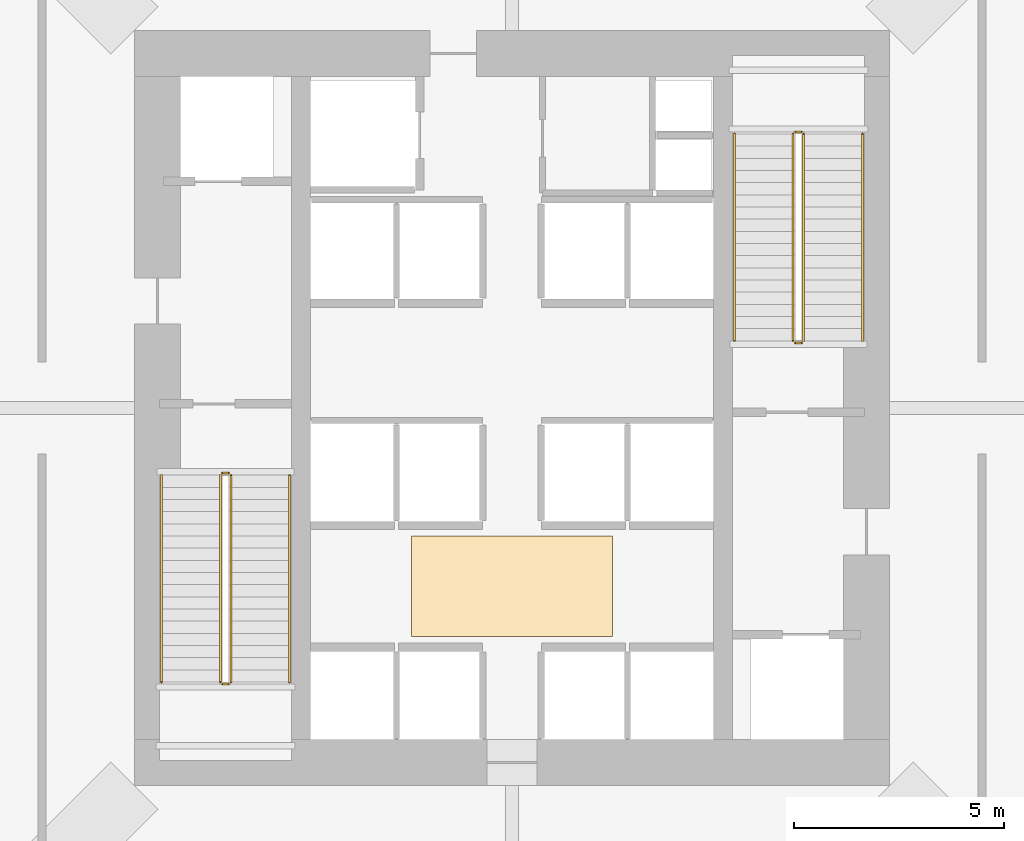
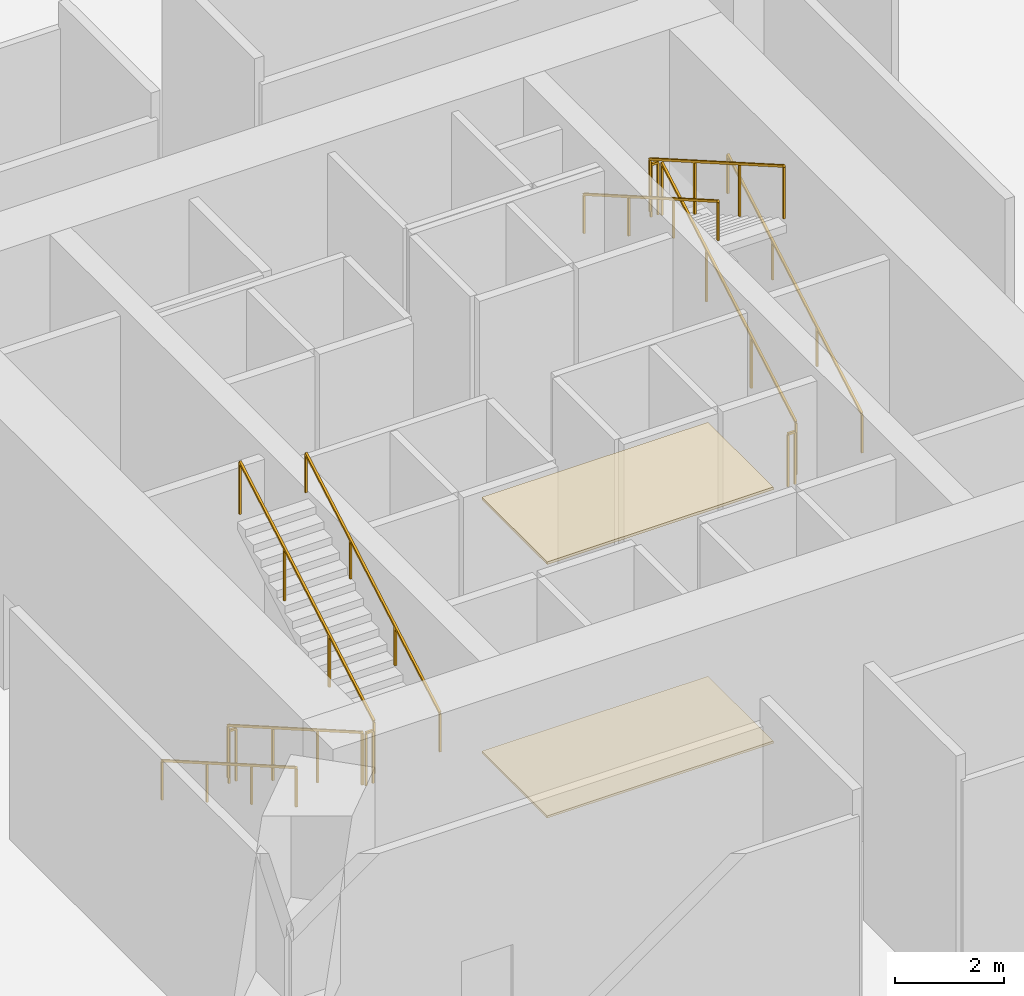
# One storey, part 6 of 6: 12 railings, 2 coverings.
"""IFC4 building model written with IfcOpenShell, lengths in metres."""

from ifc_helpers import new_model, si_unit, direction, frame, origin, origin_2d, place, context, subcontext, project, spatial, polyline, rectangle, outline, extrude, material, layer, layer_set, type_object, element, save


model = new_model("IFC4")

# Units and contexts
model_context = context("Model", 3, precision=1e-05, world=origin(), true_north=direction((0.0, 1.0)))
body_context = subcontext(model_context, "Body", "Model", "MODEL_VIEW")
ifc_project = project(units=[si_unit("LENGTHUNIT", "METRE"), si_unit("AREAUNIT", "SQUARE_METRE"), si_unit("VOLUMEUNIT", "CUBIC_METRE"), si_unit("PLANEANGLEUNIT", "RADIAN"), si_unit("MASSUNIT", "GRAM", prefix="KILO")], contexts=[model_context])

# Site, building, storey
site_placement = place(None, origin())
site = spatial("IfcSite", under=ifc_project, at=site_placement, CompositionType="ELEMENT")
building_placement = place(site_placement, origin())
building = spatial("IfcBuilding", under=site, at=building_placement, Name="Belovzor Exchange Tower", CompositionType="ELEMENT")
storey_placement = place(building_placement, frame((0.0, 0.0, 24.0)))
storey = spatial("IfcBuildingStorey", under=building, at=storey_placement, Name="L05", CompositionType="ELEMENT", Elevation=24.0)

# Railings
ifc_material_1 = material(Name="Stainless Steel Grade 304", Category="steel")
railing_type_1 = type_object("IfcRailingType", Name="Brushed Stainless Steel Stair Handrail 900", PredefinedType="HANDRAIL", material=ifc_material_1)
railing_1_placement = place(storey_placement, frame((20.449951171875, 27.199951171875, 0.166748046875)))
element("IfcRailing", 1, at=railing_1_placement, inside=storey, type_object=railing_type_1, Name="L05 ST-1 stair handrail 1", PredefinedType="HANDRAIL", context=body_context, shape_type="SweptSolid", body=[
    extrude(rectangle(XDim=0.048095703125, YDim=0.048095703125, at=origin_2d()), frame((0.0, 0.0, 0.8759765625), z_axis=(0.0, -0.867017142139, 0.498278311025), x_axis=(1.0, 0.0, 0.0)), (0.0, 0.0, 1.0), 5.68603515625),
    extrude(rectangle(XDim=0.0419921875, YDim=0.0419921875, at=origin_2d()), origin(), (0.0, 0.0, 1.0), 0.851806640625),
    extrude(rectangle(XDim=0.0419921875, YDim=0.0419921875, at=origin_2d()), frame((0.0, -1.643310546875, 0.9443359375)), (0.0, 0.0, 1.0), 0.851806640625),
    extrude(rectangle(XDim=0.0419921875, YDim=0.0419921875, at=origin_2d()), frame((0.0, -3.28662109375, 1.888916015625)), (0.0, 0.0, 1.0), 0.851806640625),
    extrude(rectangle(XDim=0.0419921875, YDim=0.0419921875, at=origin_2d()), frame((0.0, -4.929931640625, 2.833251953125)), (0.0, 0.0, 1.0), 0.851806640625),
])
railing_2_placement = place(storey_placement, frame((23.5, 22.27001953125, 3.166748046875)))
element("IfcRailing", 2, at=railing_2_placement, inside=storey, type_object=railing_type_1, Name="L05 ST-1 stair handrail 2", PredefinedType="HANDRAIL", context=body_context, shape_type="SweptSolid", body=[
    extrude(rectangle(XDim=0.048095703125, YDim=0.048095703125, at=origin_2d()), frame((0.0, 0.0, 0.8759765625), z_axis=(0.0, 0.867017142139, 0.498278311025), x_axis=(-1.0, 0.0, 0.0)), (0.0, 0.0, 1.0), 5.68603515625),
    extrude(rectangle(XDim=0.0419921875, YDim=0.0419921875, at=origin_2d()), origin(), (0.0, 0.0, 1.0), 0.851806640625),
    extrude(rectangle(XDim=0.0419921875, YDim=0.0419921875, at=origin_2d()), frame((0.0, 1.643310546875, 0.9443359375)), (0.0, 0.0, 1.0), 0.851806640625),
    extrude(rectangle(XDim=0.0419921875, YDim=0.0419921875, at=origin_2d()), frame((0.0, 3.28662109375, 1.888916015625)), (0.0, 0.0, 1.0), 0.851806640625),
    extrude(rectangle(XDim=0.0419921875, YDim=0.0419921875, at=origin_2d()), frame((0.0, 4.929931640625, 2.833251953125)), (0.0, 0.0, 1.0), 0.851806640625),
])
railing_3_placement = place(storey_placement, frame((37.14990234375, 30.39990234375, 0.166748046875)))
element("IfcRailing", 3, at=railing_3_placement, inside=storey, type_object=railing_type_1, Name="L05 ST-2 stair handrail 1", PredefinedType="HANDRAIL", context=body_context, shape_type="SweptSolid", body=[
    extrude(rectangle(XDim=0.048095703125, YDim=0.048095703125, at=origin_2d()), frame((0.0, 0.0, 0.8759765625), z_axis=(0.0, 0.867027801877, 0.498259762345), x_axis=(-1.0, 0.0, 0.0)), (0.0, 0.0, 1.0), 5.686279296875),
    extrude(rectangle(XDim=0.0419921875, YDim=0.0419921875, at=origin_2d()), origin(), (0.0, 0.0, 1.0), 0.851806640625),
    extrude(rectangle(XDim=0.0419921875, YDim=0.0419921875, at=origin_2d()), frame((0.0, 1.643310546875, 0.9443359375)), (0.0, 0.0, 1.0), 0.851806640625),
    extrude(rectangle(XDim=0.0419921875, YDim=0.0419921875, at=origin_2d()), frame((0.0, 3.286865234375, 1.888916015625)), (0.0, 0.0, 1.0), 0.851806640625),
    extrude(rectangle(XDim=0.0419921875, YDim=0.0419921875, at=origin_2d()), frame((0.0, 4.93017578125, 2.833251953125)), (0.0, 0.0, 1.0), 0.851806640625),
])
railing_4_placement = place(storey_placement, frame((34.10009765625, 35.330078125, 3.166748046875)))
element("IfcRailing", 4, at=railing_4_placement, inside=storey, type_object=railing_type_1, Name="L05 ST-2 stair handrail 2", PredefinedType="HANDRAIL", context=body_context, shape_type="SweptSolid", body=[
    extrude(rectangle(XDim=0.048095703125, YDim=0.048095703125, at=origin_2d()), frame((0.0, 0.0, 0.8759765625), z_axis=(0.0, -0.867027801877, 0.498259762345), x_axis=(1.0, 0.0, 0.0)), (0.0, 0.0, 1.0), 5.686279296875),
    extrude(rectangle(XDim=0.0419921875, YDim=0.0419921875, at=origin_2d()), origin(), (0.0, 0.0, 1.0), 0.851806640625),
    extrude(rectangle(XDim=0.0419921875, YDim=0.0419921875, at=origin_2d()), frame((0.0, -1.643310546875, 0.9443359375)), (0.0, 0.0, 1.0), 0.851806640625),
    extrude(rectangle(XDim=0.0419921875, YDim=0.0419921875, at=origin_2d()), frame((0.0, -3.286865234375, 1.888916015625)), (0.0, 0.0, 1.0), 0.851806640625),
    extrude(rectangle(XDim=0.0419921875, YDim=0.0419921875, at=origin_2d()), frame((0.0, -4.93017578125, 2.833251953125)), (0.0, 0.0, 1.0), 0.851806640625),
])
ifc_material_2 = material(Name="Steel S355", Category="steel")
railing_type_2 = type_object("IfcRailingType", Name="Painted Steel Stairwell Guardrail 1200", PredefinedType="GUARDRAIL", material=ifc_material_2)
railing_5_placement = place(storey_placement, frame((21.85009765625, 27.199951171875, 0.166748046875)))
element("IfcRailing", 5, at=railing_5_placement, inside=storey, type_object=railing_type_2, Name="L05 ST-1 stair guard 1", PredefinedType="GUARDRAIL", context=body_context, shape_type="SweptSolid", body=[
    extrude(rectangle(XDim=0.048095703125, YDim=0.048095703125, at=origin_2d()), frame((0.0, 0.0, 1.17578125), z_axis=(0.0, -0.867017142139, 0.498278311025), x_axis=(1.0, 0.0, 0.0)), (0.0, 0.0, 1.0), 5.68603515625),
    extrude(rectangle(XDim=0.0419921875, YDim=0.0419921875, at=origin_2d()), origin(), (0.0, 0.0, 1.0), 1.15185546875),
    extrude(rectangle(XDim=0.0419921875, YDim=0.0419921875, at=origin_2d()), frame((0.0, -1.643310546875, 0.9443359375)), (0.0, 0.0, 1.0), 1.15185546875),
    extrude(rectangle(XDim=0.0419921875, YDim=0.0419921875, at=origin_2d()), frame((0.0, -3.28662109375, 1.888916015625)), (0.0, 0.0, 1.0), 1.15185546875),
    extrude(rectangle(XDim=0.0419921875, YDim=0.0419921875, at=origin_2d()), frame((0.0, -4.929931640625, 2.833251953125)), (0.0, 0.0, 1.0), 1.15185546875),
])
railing_6_placement = place(storey_placement, frame((21.89990234375, 22.219970703125, 3.0)))
element("IfcRailing", 6, at=railing_6_placement, inside=storey, type_object=railing_type_2, Name="L05 ST-1 stair guard 2", PredefinedType="GUARDRAIL", context=body_context, shape_type="SweptSolid", body=[
    extrude(rectangle(XDim=0.048095703125, YDim=0.048095703125, at=origin_2d()), frame((0.0, 0.0, 1.17578125), z_axis=(1.0, 0.0, 0.0), x_axis=(0.0, 1.0, 0.0)), (0.0, 0.0, 1.0), 0.150146484375),
    extrude(rectangle(XDim=0.0419921875, YDim=0.0419921875, at=origin_2d()), origin(), (0.0, 0.0, 1.0), 1.15185546875),
    extrude(rectangle(XDim=0.0419921875, YDim=0.0419921875, at=origin_2d()), frame((0.150146484375, 0.0, 0.0)), (0.0, 0.0, 1.0), 1.15185546875),
])
railing_7_placement = place(storey_placement, frame((22.10009765625, 22.27001953125, 3.166748046875)))
element("IfcRailing", 7, at=railing_7_placement, inside=storey, type_object=railing_type_2, Name="L05 ST-1 stair guard 3", PredefinedType="GUARDRAIL", context=body_context, shape_type="SweptSolid", body=[
    extrude(rectangle(XDim=0.048095703125, YDim=0.048095703125, at=origin_2d()), frame((0.0, 0.0, 1.17578125), z_axis=(0.0, 0.867017142139, 0.498278311025), x_axis=(-1.0, 0.0, 0.0)), (0.0, 0.0, 1.0), 5.68603515625),
    extrude(rectangle(XDim=0.0419921875, YDim=0.0419921875, at=origin_2d()), origin(), (0.0, 0.0, 1.0), 1.15185546875),
    extrude(rectangle(XDim=0.0419921875, YDim=0.0419921875, at=origin_2d()), frame((0.0, 1.643310546875, 0.9443359375)), (0.0, 0.0, 1.0), 1.15185546875),
    extrude(rectangle(XDim=0.0419921875, YDim=0.0419921875, at=origin_2d()), frame((0.0, 3.28662109375, 1.888916015625)), (0.0, 0.0, 1.0), 1.15185546875),
    extrude(rectangle(XDim=0.0419921875, YDim=0.0419921875, at=origin_2d()), frame((0.0, 4.929931640625, 2.833251953125)), (0.0, 0.0, 1.0), 1.15185546875),
])
railing_8_placement = place(storey_placement, frame((21.89990234375, 27.25, 0.0)))
element("IfcRailing", 8, at=railing_8_placement, inside=storey, type_object=railing_type_2, Name="L05 ST-1 stair guard 4", PredefinedType="GUARDRAIL", context=body_context, shape_type="SweptSolid", body=[
    extrude(rectangle(XDim=0.048095703125, YDim=0.048095703125, at=origin_2d()), frame((0.0, 0.0, 1.17578125), z_axis=(1.0, 0.0, 0.0), x_axis=(0.0, 1.0, 0.0)), (0.0, 0.0, 1.0), 0.150146484375),
    extrude(rectangle(XDim=0.0419921875, YDim=0.0419921875, at=origin_2d()), origin(), (0.0, 0.0, 1.0), 1.15185546875),
    extrude(rectangle(XDim=0.0419921875, YDim=0.0419921875, at=origin_2d()), frame((0.150146484375, 0.0, 0.0)), (0.0, 0.0, 1.0), 1.15185546875),
])
railing_9_placement = place(storey_placement, frame((35.75, 30.39990234375, 0.166748046875)))
element("IfcRailing", 9, at=railing_9_placement, inside=storey, type_object=railing_type_2, Name="L05 ST-2 stair guard 1", PredefinedType="GUARDRAIL", context=body_context, shape_type="SweptSolid", body=[
    extrude(rectangle(XDim=0.048095703125, YDim=0.048095703125, at=origin_2d()), frame((0.0, 0.0, 1.17578125), z_axis=(0.0, 0.867027801877, 0.498259762345), x_axis=(-1.0, 0.0, 0.0)), (0.0, 0.0, 1.0), 5.686279296875),
    extrude(rectangle(XDim=0.0419921875, YDim=0.0419921875, at=origin_2d()), origin(), (0.0, 0.0, 1.0), 1.15185546875),
    extrude(rectangle(XDim=0.0419921875, YDim=0.0419921875, at=origin_2d()), frame((0.0, 1.643310546875, 0.9443359375)), (0.0, 0.0, 1.0), 1.15185546875),
    extrude(rectangle(XDim=0.0419921875, YDim=0.0419921875, at=origin_2d()), frame((0.0, 3.286865234375, 1.888916015625)), (0.0, 0.0, 1.0), 1.15185546875),
    extrude(rectangle(XDim=0.0419921875, YDim=0.0419921875, at=origin_2d()), frame((0.0, 4.93017578125, 2.833251953125)), (0.0, 0.0, 1.0), 1.15185546875),
])
railing_10_placement = place(storey_placement, frame((35.699951171875, 35.3798828125, 3.0)))
element("IfcRailing", 10, at=railing_10_placement, inside=storey, type_object=railing_type_2, Name="L05 ST-2 stair guard 2", PredefinedType="GUARDRAIL", context=body_context, shape_type="SweptSolid", body=[
    extrude(rectangle(XDim=0.048095703125, YDim=0.048095703125, at=origin_2d()), frame((0.0, 0.0, 1.17578125), z_axis=(-1.0, 0.0, 0.0), x_axis=(0.0, -1.0, 0.0)), (0.0, 0.0, 1.0), 0.14990234375),
    extrude(rectangle(XDim=0.0419921875, YDim=0.0419921875, at=origin_2d()), origin(), (0.0, 0.0, 1.0), 1.15185546875),
    extrude(rectangle(XDim=0.0419921875, YDim=0.0419921875, at=origin_2d()), frame((-0.14990234375, 0.0, 0.0)), (0.0, 0.0, 1.0), 1.15185546875),
])
railing_11_placement = place(storey_placement, frame((35.5, 35.330078125, 3.166748046875)))
element("IfcRailing", 11, at=railing_11_placement, inside=storey, type_object=railing_type_2, Name="L05 ST-2 stair guard 3", PredefinedType="GUARDRAIL", context=body_context, shape_type="SweptSolid", body=[
    extrude(rectangle(XDim=0.048095703125, YDim=0.048095703125, at=origin_2d()), frame((0.0, 0.0, 1.17578125), z_axis=(0.0, -0.867027801877, 0.498259762345), x_axis=(1.0, 0.0, 0.0)), (0.0, 0.0, 1.0), 5.686279296875),
    extrude(rectangle(XDim=0.0419921875, YDim=0.0419921875, at=origin_2d()), origin(), (0.0, 0.0, 1.0), 1.15185546875),
    extrude(rectangle(XDim=0.0419921875, YDim=0.0419921875, at=origin_2d()), frame((0.0, -1.643310546875, 0.9443359375)), (0.0, 0.0, 1.0), 1.15185546875),
    extrude(rectangle(XDim=0.0419921875, YDim=0.0419921875, at=origin_2d()), frame((0.0, -3.286865234375, 1.888916015625)), (0.0, 0.0, 1.0), 1.15185546875),
    extrude(rectangle(XDim=0.0419921875, YDim=0.0419921875, at=origin_2d()), frame((0.0, -4.93017578125, 2.833251953125)), (0.0, 0.0, 1.0), 1.15185546875),
])
railing_12_placement = place(storey_placement, frame((35.699951171875, 30.35009765625, 0.0)))
element("IfcRailing", 12, at=railing_12_placement, inside=storey, type_object=railing_type_2, Name="L05 ST-2 stair guard 4", PredefinedType="GUARDRAIL", context=body_context, shape_type="SweptSolid", body=[
    extrude(rectangle(XDim=0.048095703125, YDim=0.048095703125, at=origin_2d()), frame((0.0, 0.0, 1.17578125), z_axis=(-1.0, 0.0, 0.0), x_axis=(0.0, -1.0, 0.0)), (0.0, 0.0, 1.0), 0.14990234375),
    extrude(rectangle(XDim=0.0419921875, YDim=0.0419921875, at=origin_2d()), origin(), (0.0, 0.0, 1.0), 1.15185546875),
    extrude(rectangle(XDim=0.0419921875, YDim=0.0419921875, at=origin_2d()), frame((-0.14990234375, 0.0, 0.0)), (0.0, 0.0, 1.0), 1.15185546875),
])

# Coverings
ifc_material_3 = material(Name="Perforated Powder-Coated Aluminium", Category="aluminium")
ifc_layer_1 = layer(ifc_material_3, 0.06005859375)
ifc_layer_set_1 = layer_set([ifc_layer_1], Name="Perforated Powder-Coated Aluminium")
covering_type_1 = type_object("IfcCoveringType", Name="Perforated Acoustic Metal Tile Suspended Ceiling 60", PredefinedType="CEILING", material=ifc_layer_set_1)
covering_1_placement = place(storey_placement, frame((0.0, 0.0, 5.68994140625)))
element("IfcCovering", 13, at=covering_1_placement, inside=storey, type_object=covering_type_1, Name="CLG-AC60 Suspended Ceiling CLG-L05-LOB", PredefinedType="CEILING", context=body_context, shape_type="SweptSolid", body=[
    extrude(outline(polyline([(26.39990234375, 23.35009765625), (31.199951171875, 23.35009765625), (31.199951171875, 25.75), (26.39990234375, 25.75), (26.39990234375, 23.35009765625)])), origin(), (0.0, 0.0, 1.0), 0.06005859375),
])
ifc_material_4 = material(Name="Polished Natural Granite Tile", Category="masonry")
ifc_layer_2 = layer(ifc_material_4, 0.050048828125)
ifc_layer_set_2 = layer_set([ifc_layer_2], Name="Polished Natural Granite Tile")
covering_type_2 = type_object("IfcCoveringType", Name="Polished Karelian Granite & Raised Access Floor Finish 50", PredefinedType="FLOORING", material=ifc_layer_set_2)
covering_2_placement = place(storey_placement, origin())
element("IfcCovering", 14, at=covering_2_placement, inside=storey, type_object=covering_type_2, Name="FLR-GR50 Floor Finish FLR-L05-LOB", PredefinedType="FLOORING", context=body_context, shape_type="SweptSolid", body=[
    extrude(outline(polyline([(26.39990234375, 23.35009765625), (31.199951171875, 23.35009765625), (31.199951171875, 25.75), (26.39990234375, 25.75), (26.39990234375, 23.35009765625)])), origin(), (0.0, 0.0, 1.0), 0.050048828125),
])

save(model, "model.ifc")
